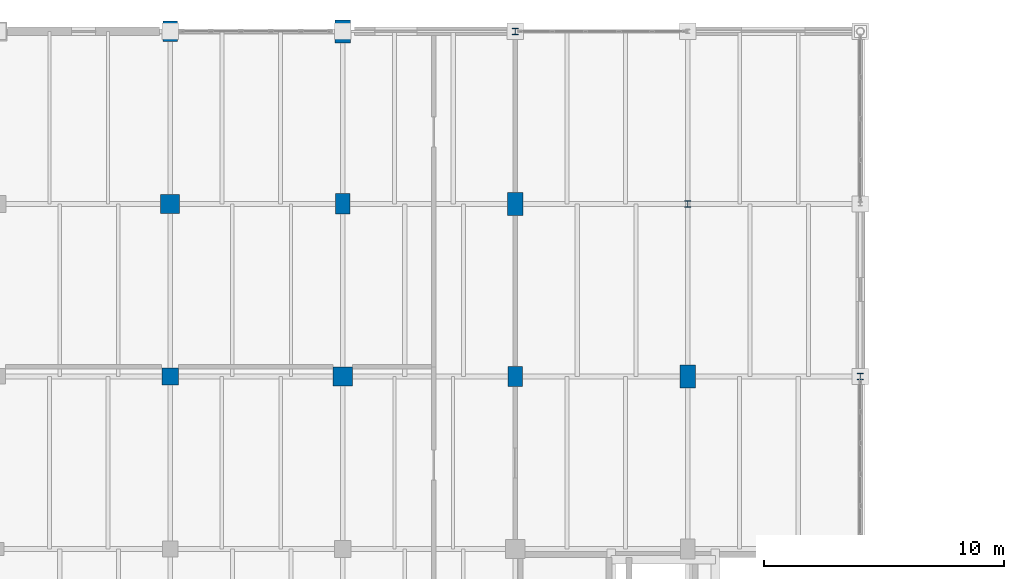
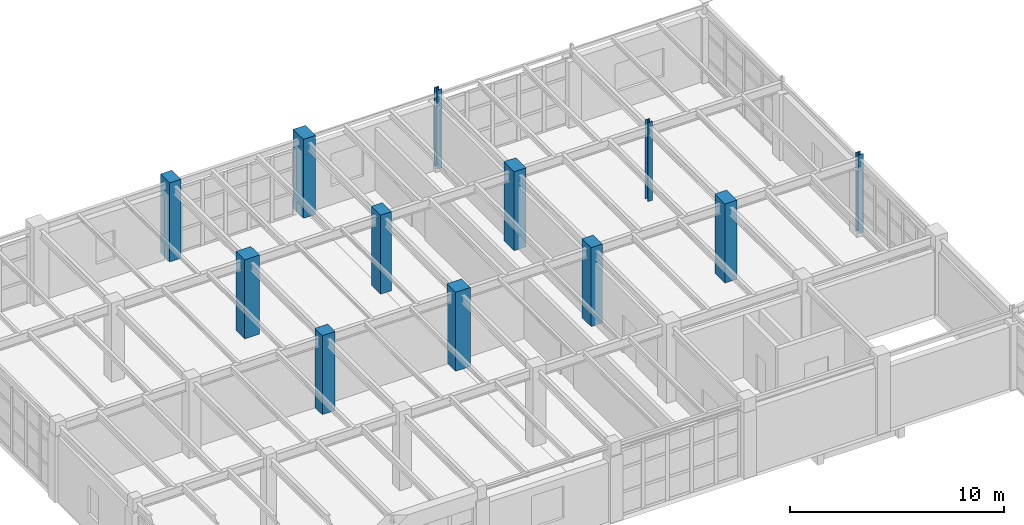
# One storey, part 19 of 137: 12 columns.
"""IFC4 building model written with IfcOpenShell, lengths in metres."""

from ifc_helpers import new_model, si_unit, direction, frame, origin, origin_2d, place, context, subcontext, project, spatial, rectangle, i_section, extrude, material, material_profile, profile_set, type_object, element, save


model = new_model("IFC4")

# Units and contexts
model_context = context("Model", 3, precision=1e-05, world=origin(), true_north=direction((0.0, 1.0)))
body_context = subcontext(model_context, "Body", "Model", "MODEL_VIEW")
ifc_project = project(units=[si_unit("LENGTHUNIT", "METRE"), si_unit("AREAUNIT", "SQUARE_METRE"), si_unit("VOLUMEUNIT", "CUBIC_METRE"), si_unit("PLANEANGLEUNIT", "RADIAN"), si_unit("MASSUNIT", "GRAM", prefix="KILO")], contexts=[model_context])

# Site, building, storey
site_placement = place(None, origin())
site = spatial("IfcSite", under=ifc_project, at=site_placement, CompositionType="ELEMENT")
building_placement = place(site_placement, origin())
building = spatial("IfcBuilding", under=site, at=building_placement, Name="Kemerveld Promenade Tramway Depot", CompositionType="ELEMENT")
storey_placement = place(building_placement, frame((0.0, 0.0, 5.39990234375)))
storey = spatial("IfcBuildingStorey", under=building, at=storey_placement, Name="L01", CompositionType="ELEMENT", Elevation=5.39990234375)

# Columns
ifc_material_1 = material(Name="Concrete C40/50", Category="concrete")
ifc_material_profile_1 = material_profile(ifc_material_1, rectangle(XDim=0.800048828125, YDim=0.800048828125, at=origin_2d()), Name="RC-COL-800x800")
ifc_profile_set_1 = profile_set([ifc_material_profile_1], Name="Concrete C40/50")
column_type_1 = type_object("IfcColumnType", Name="COL-RC10", PredefinedType="COLUMN", material=ifc_profile_set_1)
for number, where, z_axis, x_axis, name in (
    (1, (129.60009765625, 72.0, 0.0), (0.0, 0.0, 1.0), (1.0, 0.0, 0.0), "COL-L01-19-L"),
    (2, (136.800048828125, 64.800048828125, 0.0), (0.0, 0.0, 1.0), (1.0, 0.0, 0.0), "COL-L01-20-K"),
):
    element("IfcColumn", number, at=place(storey_placement, frame(where, z_axis=z_axis, x_axis=x_axis)), inside=storey, type_object=column_type_1, Name=name, PredefinedType="COLUMN", context=body_context, shape_type="SweptSolid", body=[
        extrude(rectangle(XDim=0.800048828125, YDim=0.800048828125, at=origin_2d()), origin(), (0.0, 0.0, 1.0), 4.5),
    ])
ifc_material_profile_2 = material_profile(ifc_material_1, rectangle(XDim=0.60009765625, YDim=0.85009765625, at=origin_2d()), Name="RC-PIER-850x600")
ifc_profile_set_2 = profile_set([ifc_material_profile_2], Name="Concrete C40/50")
column_type_2 = type_object("IfcColumnType", Name="COL-RC11", PredefinedType="COLUMN", material=ifc_profile_set_2)
for number, where, z_axis, x_axis, name in (
    (3, (129.60009765625, 79.199951171875, 0.0), (0.0, 0.0, 1.0), (1.0, 0.0, 0.0), "COL-L01-19-M"),
    (4, (136.800048828125, 72.0, 0.0), (0.0, 0.0, 1.0), (1.0, 0.0, 0.0), "COL-L01-20-L"),
    (5, (144.0, 64.800048828125, 0.0), (0.0, 0.0, 1.0), (1.0, 0.0, 0.0), "COL-L01-21-K"),
):
    element("IfcColumn", number, at=place(storey_placement, frame(where, z_axis=z_axis, x_axis=x_axis)), inside=storey, type_object=column_type_2, Name=name, PredefinedType="COLUMN", context=body_context, shape_type="SweptSolid", body=[
        extrude(rectangle(XDim=0.60009765625, YDim=0.85009765625, at=origin_2d()), origin(), (0.0, 0.0, 1.0), 4.5),
    ])
ifc_material_profile_3 = material_profile(ifc_material_1, rectangle(XDim=0.64990234375, YDim=0.949951171875, at=origin_2d()), Name="RC-PIER-950x650")
ifc_profile_set_3 = profile_set([ifc_material_profile_3], Name="Concrete C40/50")
column_type_3 = type_object("IfcColumnType", Name="COL-RC12", PredefinedType="COLUMN", material=ifc_profile_set_3)
for number, where, z_axis, x_axis, name in (
    (6, (136.800048828125, 79.199951171875, 0.0), (0.0, 0.0, 1.0), (1.0, 0.0, 0.0), "COL-L01-20-M"),
    (7, (144.0, 72.0, 0.0), (0.0, 0.0, 1.0), (1.0, 0.0, 0.0), "COL-L01-21-L"),
    (8, (151.199951171875, 64.800048828125, 0.0), (0.0, 0.0, 1.0), (1.0, 0.0, 0.0), "COL-L01-22-K"),
):
    element("IfcColumn", number, at=place(storey_placement, frame(where, z_axis=z_axis, x_axis=x_axis)), inside=storey, type_object=column_type_3, Name=name, PredefinedType="COLUMN", context=body_context, shape_type="SweptSolid", body=[
        extrude(rectangle(XDim=0.64990234375, YDim=0.949951171875, at=origin_2d()), origin(), (0.0, 0.0, 1.0), 4.5),
    ])
ifc_material_profile_4 = material_profile(ifc_material_1, rectangle(XDim=0.699951171875, YDim=0.699951171875, at=origin_2d()), Name="RC-COL-700x700")
ifc_profile_set_4 = profile_set([ifc_material_profile_4], Name="Concrete C40/50")
column_type_4 = type_object("IfcColumnType", Name="COL-RC9", PredefinedType="COLUMN", material=ifc_profile_set_4)
column_placement = place(storey_placement, frame((129.60009765625, 64.800048828125, 0.0), z_axis=(0.0, 0.0, 1.0), x_axis=(1.0, 0.0, 0.0)))
element("IfcColumn", 9, at=column_placement, inside=storey, type_object=column_type_4, Name="COL-L01-19-K", PredefinedType="COLUMN", context=body_context, shape_type="SweptSolid", body=[
    extrude(rectangle(XDim=0.699951171875, YDim=0.699951171875, at=origin_2d()), origin(), (0.0, 0.0, 1.0), 4.5),
])
ifc_material_2 = material(Name="Steel S355", Category="steel")
ifc_material_profile_5 = material_profile(ifc_material_2, i_section(OverallWidth=0.26123046875, OverallDepth=0.2763671875, WebThickness=0.015380859375, FlangeThickness=0.025390625, FilletRadius=0.0126953125, at=origin_2d()), Name="254x254x132 UC")
ifc_profile_set_5 = profile_set([ifc_material_profile_5], Name="Steel S355")
column_type_5 = type_object("IfcColumnType", Name="COL-S07", PredefinedType="COLUMN", material=ifc_profile_set_5)
for number, where, z_axis, x_axis, name in (
    (10, (144.0, 79.199951171875, 0.0), (0.0, 0.0, 1.0), (1.0, 0.0, 0.0), "COL-L01-21-M"),
    (11, (151.199951171875, 72.0, 0.0), (0.0, 0.0, 1.0), (1.0, 0.0, 0.0), "COL-L01-22-L"),
    (12, (158.39990234375, 64.800048828125, 0.0), (0.0, 0.0, 1.0), (1.0, 0.0, 0.0), "COL-L01-23-K"),
):
    element("IfcColumn", number, at=place(storey_placement, frame(where, z_axis=z_axis, x_axis=x_axis)), inside=storey, type_object=column_type_5, Name=name, PredefinedType="COLUMN", context=body_context, shape_type="SweptSolid", body=[
        extrude(i_section(OverallWidth=0.26123046875, OverallDepth=0.2763671875, WebThickness=0.015380859375, FlangeThickness=0.025390625, FilletRadius=0.0126953125, at=origin_2d()), origin(), (0.0, 0.0, 1.0), 4.5),
    ])

save(model, "model.ifc")
